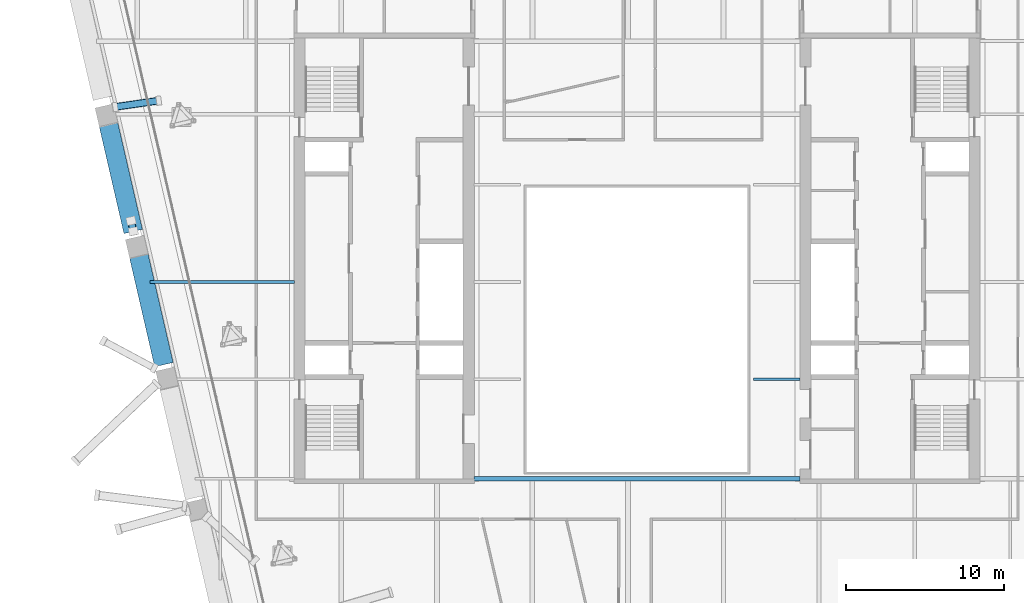
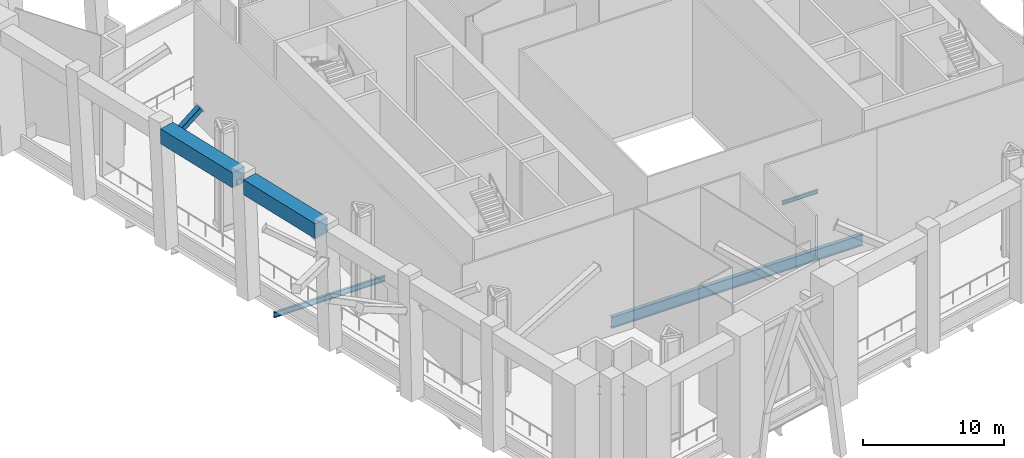
# One storey, part 5 of 25: 5 beams, 2 members.
"""IFC4 building model written with IfcOpenShell, lengths in metres."""

from ifc_helpers import new_model, si_unit, direction, frame, origin, origin_2d, place, context, subcontext, project, spatial, rectangle, hollow_rectangle, i_section, extrude, material, material_profile, profile_set, type_object, element, save


model = new_model("IFC4")

# Units and contexts
model_context = context("Model", 3, precision=1e-05, world=origin(), true_north=direction((0.0, 1.0)))
body_context = subcontext(model_context, "Body", "Model", "MODEL_VIEW")
ifc_project = project(units=[si_unit("LENGTHUNIT", "METRE"), si_unit("AREAUNIT", "SQUARE_METRE"), si_unit("VOLUMEUNIT", "CUBIC_METRE"), si_unit("PLANEANGLEUNIT", "RADIAN"), si_unit("MASSUNIT", "GRAM", prefix="KILO")], contexts=[model_context])

# Site, building, storey
site_placement = place(None, origin())
site = spatial("IfcSite", under=ifc_project, at=site_placement, CompositionType="ELEMENT")
building_placement = place(site_placement, origin())
building = spatial("IfcBuilding", under=site, at=building_placement, Name="Ogive Exchange Tower", CompositionType="ELEMENT")
storey_placement = place(building_placement, frame((0.0, 0.0, 226.199951171875)))
storey = spatial("IfcBuildingStorey", under=building, at=storey_placement, Name="L50", CompositionType="ELEMENT", Elevation=226.199951171875)

# Members
ifc_material_1 = material(Name="Steel ASTM A1085 Gr A", Category="steel")
ifc_material_profile_1 = material_profile(ifc_material_1, hollow_rectangle(XDim=0.45703125, YDim=0.45703125, WallThickness=0.01904296875, InnerFilletRadius=0.01904296875, OuterFilletRadius=0.0380859375, at=origin_2d()), Name="HSS457.2x457.2x19")
ifc_profile_set_1 = profile_set([ifc_material_profile_1], Name="Steel ASTM A1085 Gr A")
member_type = type_object("IfcMemberType", Name="Block-change strut HSS457.2x457.2x19", PredefinedType="STRUT", material=ifc_profile_set_1)
member_1_placement = place(storey_placement, frame((-33.010009765625, 21.081787109375, 8.429443359375), z_axis=(0.841063024533, 0.122254518209, 0.526941003852), x_axis=(-0.143845452499, 0.98960016461, 0.0)))
element("IfcMember", 1, at=member_1_placement, inside=storey, type_object=member_type, Name="Block-change strut 27", PredefinedType="STRUT", context=body_context, shape_type="SweptSolid", body=[
    extrude(hollow_rectangle(XDim=0.45703125, YDim=0.45703125, WallThickness=0.01904296875, InnerFilletRadius=0.01904296875, OuterFilletRadius=0.0380859375, at=origin_2d()), origin(), (0.0, 0.0, 1.0), 3.2509765625),
])
member_2_placement = place(storey_placement, frame((-31.8671875, 13.21630859375, 9.057373046875), z_axis=(-0.104352499531, 0.489232296402, 0.865888165989), x_axis=(-0.977999793445, -0.208605858071, 0.0)))
element("IfcMember", 2, at=member_2_placement, inside=storey, type_object=member_type, Name="Block-change strut 28", PredefinedType="STRUT", context=body_context, shape_type="SweptSolid", body=[
    extrude(hollow_rectangle(XDim=0.45703125, YDim=0.45703125, WallThickness=0.01904296875, InnerFilletRadius=0.01904296875, OuterFilletRadius=0.0380859375, at=origin_2d()), origin(), (0.0, 0.0, 1.0), 1.3359375),
])

# Beams
ifc_material_2 = material(Name="Steel ASTM A992 Gr50", Category="steel")
ifc_material_profile_2 = material_profile(ifc_material_2, i_section(OverallWidth=0.1650390625, OverallDepth=0.31005859375, WebThickness=0.005859375, FlangeThickness=0.009765625, at=origin_2d()), Name="W310x38.7")
ifc_profile_set_2 = profile_set([ifc_material_profile_2], Name="Steel ASTM A992 Gr50")
beam_type_1 = type_object("IfcBeamType", Name="Floor beam W310x38.7", PredefinedType="JOIST", material=ifc_profile_set_2)
beam_1_placement = place(storey_placement, frame((7.3701171875, 3.8583984375, -0.60498046875), z_axis=(1.0, 0.0, 0.0), x_axis=(0.0, 1.0, 0.0)))
element("IfcBeam", 3, at=beam_1_placement, inside=storey, type_object=beam_type_1, Name="Floor beam", PredefinedType="JOIST", context=body_context, shape_type="SweptSolid", body=[
    extrude(i_section(OverallWidth=0.1650390625, OverallDepth=0.31005859375, WebThickness=0.005859375, FlangeThickness=0.009765625, at=origin_2d()), origin(), (0.0, 0.0, 1.0), 2.949951171875),
])
ifc_material_profile_3 = material_profile(ifc_material_2, i_section(OverallWidth=0.19091796875, OverallDepth=0.45703125, WebThickness=0.009033203125, FlangeThickness=0.014404296875, at=origin_2d()), Name="W460x74")
ifc_profile_set_3 = profile_set([ifc_material_profile_3], Name="Steel ASTM A992 Gr50")
beam_type_2 = type_object("IfcBeamType", Name="Floor beam W460x74", PredefinedType="JOIST", material=ifc_profile_set_3)
beam_2_placement = place(storey_placement, frame((-30.8251953125, 10.006591796875, -0.678466796875), z_axis=(1.0, 0.0, 0.0), x_axis=(0.0, 1.0, 0.0)))
element("IfcBeam", 4, at=beam_2_placement, inside=storey, type_object=beam_type_2, Name="Floor beam", PredefinedType="JOIST", context=body_context, shape_type="SweptSolid", body=[
    extrude(i_section(OverallWidth=0.19091796875, OverallDepth=0.45703125, WebThickness=0.009033203125, FlangeThickness=0.014404296875, at=origin_2d()), origin(), (0.0, 0.0, 1.0), 9.145263671875),
])
ifc_material_profile_4 = material_profile(ifc_material_2, i_section(OverallWidth=0.300048828125, OverallDepth=0.97998046875, WebThickness=0.0166015625, FlangeThickness=0.026123046875, at=origin_2d()), Name="W1000x249")
ifc_profile_set_4 = profile_set([ifc_material_profile_4], Name="Steel ASTM A992 Gr50")
beam_type_3 = type_object("IfcBeamType", Name="Girder W1000x249", PredefinedType="BEAM", material=ifc_profile_set_4)
beam_3_placement = place(storey_placement, frame((-10.320068359375, -2.445068359375, -0.93994140625), z_axis=(1.0, 0.0, 0.0), x_axis=(0.0, 1.0, 0.0)))
element("IfcBeam", 5, at=beam_3_placement, inside=storey, type_object=beam_type_3, Name="Header girder", PredefinedType="BEAM", context=body_context, shape_type="SweptSolid", body=[
    extrude(i_section(OverallWidth=0.300048828125, OverallDepth=0.97998046875, WebThickness=0.0166015625, FlangeThickness=0.026123046875, at=origin_2d()), origin(), (0.0, 0.0, 1.0), 20.64013671875),
])
ifc_material_3 = material(Name="Precast concrete C70/85 (limestone faced)", Category="masonry")
ifc_material_profile_5 = material_profile(ifc_material_3, rectangle(XDim=1.199951171875, YDim=1.300048828125, at=origin_2d()), Name="1200 x 1300")
ifc_profile_set_5 = profile_set([ifc_material_profile_5], Name="Precast concrete C70/85 (limestone faced)")
beam_type_4 = type_object("IfcBeamType", Name="Precast portal header beam 1200 x 1300 C70/85", PredefinedType="BEAM", material=ifc_profile_set_5)
beam_4_placement = place(storey_placement, frame((-33.55859375, 20.49560546875, 9.699951171875), z_axis=(0.224926215595, -0.974375798929, 0.0), x_axis=(0.974375798929, 0.224926215595, 0.0)))
element("IfcBeam", 6, at=beam_4_placement, inside=storey, type_object=beam_type_4, Name="Slot header beam 28", PredefinedType="BEAM", context=body_context, shape_type="SweptSolid", body=[
    extrude(rectangle(XDim=1.199951171875, YDim=1.300048828125, at=origin_2d()), origin(), (0.0, 0.0, 1.0), 7.48388671875),
])
beam_5_placement = place(storey_placement, frame((-31.6142578125, 12.0732421875, 9.699951171875), z_axis=(0.224957186508, -0.974368649043, 0.0), x_axis=(0.974368649043, 0.224957186508, 0.0)))
element("IfcBeam", 7, at=beam_5_placement, inside=storey, type_object=beam_type_4, Name="Slot header beam 29", PredefinedType="BEAM", context=body_context, shape_type="SweptSolid", body=[
    extrude(rectangle(XDim=1.199951171875, YDim=1.300048828125, at=origin_2d()), origin(), (0.0, 0.0, 1.0), 7.484130859375),
])

save(model, "model.ifc")
